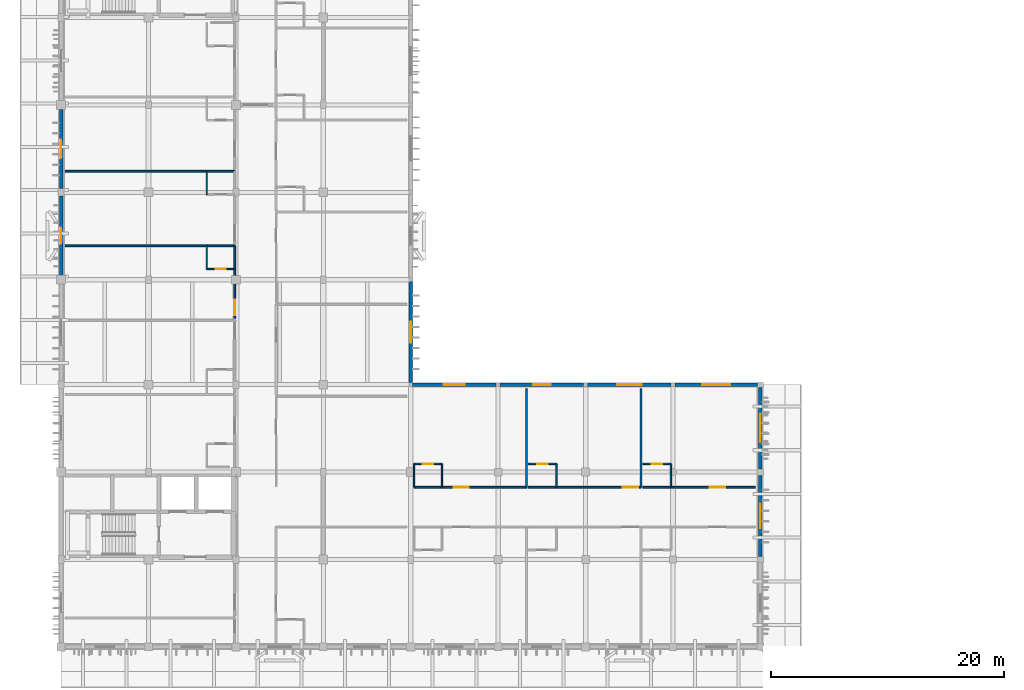
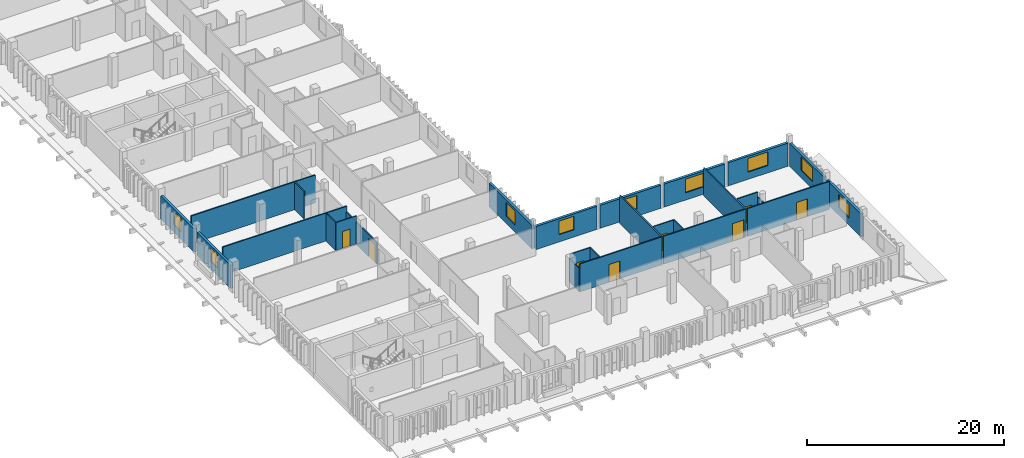
# One storey, part 16 of 43: 27 walls, 9 windows, 8 doors, 17 openings.
"""IFC4 building model written with IfcOpenShell, lengths in metres."""

from ifc_helpers import new_model, si_unit, direction, frame, frame_2d, origin, place, context, subcontext, project, spatial, rectangle, extrude, material, layer, layer_set, type_object, element, fill, save


model = new_model("IFC4")

# Units and contexts
model_context = context("Model", 3, precision=1e-05, world=origin(), true_north=direction((0.0, 1.0)))
body_context = subcontext(model_context, "Body", "Model", "MODEL_VIEW")
ifc_project = project(units=[si_unit("LENGTHUNIT", "METRE"), si_unit("AREAUNIT", "SQUARE_METRE"), si_unit("VOLUMEUNIT", "CUBIC_METRE"), si_unit("PLANEANGLEUNIT", "RADIAN"), si_unit("MASSUNIT", "GRAM", prefix="KILO")], contexts=[model_context])

# Site, building, storey
site_placement = place(None, origin())
site = spatial("IfcSite", under=ifc_project, at=site_placement, CompositionType="ELEMENT")
building_placement = place(site_placement, origin())
building = spatial("IfcBuilding", under=site, at=building_placement, Name="Dalvernix Boulevard General Hospital", CompositionType="ELEMENT")
storey_placement = place(building_placement, frame((0.0, 0.0, 14.10009765625)))
storey = spatial("IfcBuildingStorey", under=building, at=storey_placement, Name="L03", CompositionType="ELEMENT", Elevation=14.10009765625)

# Wall, opening, window
ifc_material_1 = material(Name="Pressed Catalan clay brick and ceramic spandrel wall C35/45", Category="masonry")
ifc_layer_1 = layer(ifc_material_1, 0.300048828125)
ifc_layer_set_1 = layer_set([ifc_layer_1], Name="Pressed Catalan clay brick and ceramic spandrel wall C35/45 (WAL-EW-02)")
wall_type_1 = type_object("IfcWallType", Name="WAL-EW-02", PredefinedType="STANDARD", material=ifc_layer_set_1)
wall_1_placement = place(storey_placement, frame((0.0, 31.885009765625, 0.0), z_axis=(0.0, 0.0, 1.0), x_axis=(0.0, 1.0, 0.0)))
wall_1 = element("IfcWall", 1, at=wall_1_placement, inside=storey, type_object=wall_type_1, Name="L03 Catalan brick external wall W 0-4", PredefinedType="STANDARD", context=body_context, shape_type="SweptSolid", body=[
    extrude(rectangle(XDim=6.780029296875, YDim=0.300048828125, at=frame_2d((3.39013671875, 0.0))), origin(), (0.0, 0.0, 1.0), 2.869873046875),
])
opening_1_placement = place(wall_1_placement, frame((2.68994140625, 0.0, 0.89990234375)))
opening_1 = element("IfcOpeningElement", 2, at=opening_1_placement, cuts=wall_1, Name="Opening WN-14", PredefinedType="OPENING", context=body_context, shape_type="SweptSolid", body=[
    extrude(rectangle(XDim=1.39990234375, YDim=1.68994140625, at=frame_2d((0.699951171875, 0.844970703125))), frame((0.0, 0.159912109375, 0.0), z_axis=(0.0, -1.0, 0.0), x_axis=(1.0, 0.0, 0.0)), (0.0, 0.0, 1.0), 0.320068359375),
])
ifc_material_2 = material(Name="Thermally broken aluminium frame with solar-control double glazing", Category="aluminium")
window_type_1 = type_object("IfcWindowType", Name="WIN-WN-14", PartitioningType="SINGLE_PANEL", PredefinedType="WINDOW", material=ifc_material_2)
window_1_placement = place(opening_1_placement, origin())
window_1 = element("IfcWindow", 3, at=window_1_placement, inside=storey, type_object=window_type_1, Name="L03 clinical window WN-14 W 0-4", OverallHeight=1.68994140625, OverallWidth=1.39990234375, PartitioningType="SINGLE_PANEL", PredefinedType="WINDOW", context=body_context, shape_type="SweptSolid", body=[
    extrude(rectangle(XDim=1.39990234375, YDim=1.68994140625, at=frame_2d((0.699951171875, 0.844970703125))), frame((0.0, 0.030029296875, 0.0), z_axis=(0.0, -1.0, 0.0), x_axis=(1.0, 0.0, 0.0)), (0.0, 0.0, 1.0), 0.06005859375),
])
fill(opening_1, window_1)

wall_2_placement = place(storey_placement, frame((0.0, 39.3349609375, 0.0), z_axis=(0.0, 0.0, 1.0), x_axis=(0.0, 1.0, 0.0)))
wall_2 = element("IfcWall", 4, at=wall_2_placement, inside=storey, type_object=wall_type_1, Name="L03 Catalan brick external wall W 0-5", PredefinedType="STANDARD", context=body_context, shape_type="SweptSolid", body=[
    extrude(rectangle(XDim=6.780029296875, YDim=0.300048828125, at=frame_2d((3.39013671875, 0.0))), origin(), (0.0, 0.0, 1.0), 2.869873046875),
])
opening_2_placement = place(wall_2_placement, frame((2.590087890625, 0.0, 0.89990234375)))
opening_2 = element("IfcOpeningElement", 5, at=opening_2_placement, cuts=wall_2, Name="Opening WN-15", PredefinedType="OPENING", context=body_context, shape_type="SweptSolid", body=[
    extrude(rectangle(XDim=1.60009765625, YDim=1.68994140625, at=frame_2d((0.800048828125, 0.844970703125))), frame((0.0, 0.159912109375, 0.0), z_axis=(0.0, -1.0, 0.0), x_axis=(1.0, 0.0, 0.0)), (0.0, 0.0, 1.0), 0.320068359375),
])
window_type_2 = type_object("IfcWindowType", Name="WIN-WN-15", PartitioningType="SINGLE_PANEL", PredefinedType="WINDOW", material=ifc_material_2)
window_2_placement = place(opening_2_placement, origin())
window_2 = element("IfcWindow", 6, at=window_2_placement, inside=storey, type_object=window_type_2, Name="L03 clinical window WN-15 W 0-5", OverallHeight=1.68994140625, OverallWidth=1.60009765625, PartitioningType="SINGLE_PANEL", PredefinedType="WINDOW", context=body_context, shape_type="SweptSolid", body=[
    extrude(rectangle(XDim=1.60009765625, YDim=1.68994140625, at=frame_2d((0.800048828125, 0.844970703125))), frame((0.0, 0.030029296875, 0.0), z_axis=(0.0, -1.0, 0.0), x_axis=(1.0, 0.0, 0.0)), (0.0, 0.0, 1.0), 0.06005859375),
])
fill(opening_2, window_2)

wall_3_placement = place(storey_placement, frame((30.0, 31.330078125, 0.0), z_axis=(0.0, 0.0, 1.0), x_axis=(0.0, -1.0, 0.0)))
wall_3 = element("IfcWall", 7, at=wall_3_placement, inside=storey, type_object=wall_type_1, Name="L03 Catalan brick external wall E 4-3", PredefinedType="STANDARD", context=body_context, shape_type="SweptSolid", body=[
    extrude(rectangle(XDim=8.66015625, YDim=0.300048828125, at=frame_2d((4.330078125, 0.0))), origin(), (0.0, 0.0, 1.0), 2.919921875),
])
opening_3_placement = place(wall_3_placement, frame((3.429931640625, 0.0, 0.89990234375)))
opening_3 = element("IfcOpeningElement", 8, at=opening_3_placement, cuts=wall_3, Name="Opening WN-01", PredefinedType="OPENING", context=body_context, shape_type="SweptSolid", body=[
    extrude(rectangle(XDim=1.800048828125, YDim=1.739990234375, at=frame_2d((0.89990234375, 0.8701171875))), frame((0.0, 0.159912109375, 0.0), z_axis=(0.0, -1.0, 0.0), x_axis=(1.0, 0.0, 0.0)), (0.0, 0.0, 1.0), 0.320068359375),
])
window_type_3 = type_object("IfcWindowType", Name="WIN-WN-01", PartitioningType="SINGLE_PANEL", PredefinedType="WINDOW", material=ifc_material_2)
window_3_placement = place(opening_3_placement, origin())
window_3 = element("IfcWindow", 9, at=window_3_placement, inside=storey, type_object=window_type_3, Name="L03 clinical window WN-01 E 4-3", OverallHeight=1.739990234375, OverallWidth=1.800048828125, PartitioningType="SINGLE_PANEL", PredefinedType="WINDOW", context=body_context, shape_type="SweptSolid", body=[
    extrude(rectangle(XDim=1.800048828125, YDim=1.739990234375, at=frame_2d((0.89990234375, 0.8701171875))), frame((0.0, 0.030029296875, 0.0), z_axis=(0.0, -1.0, 0.0), x_axis=(1.0, 0.0, 0.0)), (0.0, 0.0, 1.0), 0.06005859375),
])
fill(opening_3, window_3)

wall_4_placement = place(storey_placement, frame((30.169921875, 22.5, 0.0), z_axis=(0.0, 0.0, 1.0), x_axis=(1.0, 0.0, 0.0)))
wall_4 = element("IfcWall", 10, at=wall_4_placement, inside=storey, type_object=wall_type_1, Name="L03 Catalan brick external wall N 4-3", PredefinedType="STANDARD", context=body_context, shape_type="SweptSolid", body=[
    extrude(rectangle(XDim=7.16015625, YDim=0.300048828125, at=frame_2d((3.580078125, 0.0))), origin(), (0.0, 0.0, 1.0), 2.869873046875),
])
opening_4_placement = place(wall_4_placement, frame((2.679931640625, 0.0, 0.89990234375)))
opening_4 = element("IfcOpeningElement", 11, at=opening_4_placement, cuts=wall_4, Name="Opening WN-01", PredefinedType="OPENING", context=body_context, shape_type="SweptSolid", body=[
    extrude(rectangle(XDim=1.800048828125, YDim=1.68994140625, at=frame_2d((0.89990234375, 0.844970703125))), frame((0.0, 0.159912109375, 0.0), z_axis=(0.0, -1.0, 0.0), x_axis=(1.0, 0.0, 0.0)), (0.0, 0.0, 1.0), 0.320068359375),
])
window_4_placement = place(opening_4_placement, origin())
window_4 = element("IfcWindow", 12, at=window_4_placement, inside=storey, type_object=window_type_3, Name="L03 clinical window WN-01 N 4-3", OverallHeight=1.68994140625, OverallWidth=1.800048828125, PartitioningType="SINGLE_PANEL", PredefinedType="WINDOW", context=body_context, shape_type="SweptSolid", body=[
    extrude(rectangle(XDim=1.800048828125, YDim=1.68994140625, at=frame_2d((0.89990234375, 0.844970703125))), frame((0.0, 0.030029296875, 0.0), z_axis=(0.0, -1.0, 0.0), x_axis=(1.0, 0.0, 0.0)), (0.0, 0.0, 1.0), 0.06005859375),
])
fill(opening_4, window_4)

wall_5_placement = place(storey_placement, frame((37.669921875, 22.5, 0.0), z_axis=(0.0, 0.0, 1.0), x_axis=(1.0, 0.0, 0.0)))
wall_5 = element("IfcWall", 13, at=wall_5_placement, inside=storey, type_object=wall_type_1, Name="L03 Catalan brick external wall N 5-3", PredefinedType="STANDARD", context=body_context, shape_type="SweptSolid", body=[
    extrude(rectangle(XDim=7.16015625, YDim=0.300048828125, at=frame_2d((3.580078125, 0.0))), origin(), (0.0, 0.0, 1.0), 2.869873046875),
])
opening_5_placement = place(wall_5_placement, frame((2.830078125, 0.0, 0.89990234375)))
opening_5 = element("IfcOpeningElement", 14, at=opening_5_placement, cuts=wall_5, Name="Opening WN-02", PredefinedType="OPENING", context=body_context, shape_type="SweptSolid", body=[
    extrude(rectangle(XDim=1.5, YDim=1.68994140625, at=frame_2d((0.75, 0.844970703125))), frame((0.0, 0.159912109375, 0.0), z_axis=(0.0, -1.0, 0.0), x_axis=(1.0, 0.0, 0.0)), (0.0, 0.0, 1.0), 0.320068359375),
])
window_type_4 = type_object("IfcWindowType", Name="WIN-WN-02", PartitioningType="SINGLE_PANEL", PredefinedType="WINDOW", material=ifc_material_2)
window_5_placement = place(opening_5_placement, origin())
window_5 = element("IfcWindow", 15, at=window_5_placement, inside=storey, type_object=window_type_4, Name="L03 clinical window WN-02 N 5-3", OverallHeight=1.68994140625, OverallWidth=1.5, PartitioningType="SINGLE_PANEL", PredefinedType="WINDOW", context=body_context, shape_type="SweptSolid", body=[
    extrude(rectangle(XDim=1.5, YDim=1.68994140625, at=frame_2d((0.75, 0.844970703125))), frame((0.0, 0.030029296875, 0.0), z_axis=(0.0, -1.0, 0.0), x_axis=(1.0, 0.0, 0.0)), (0.0, 0.0, 1.0), 0.06005859375),
])
fill(opening_5, window_5)

wall_6_placement = place(storey_placement, frame((45.169921875, 22.5, 0.0), z_axis=(0.0, 0.0, 1.0), x_axis=(1.0, 0.0, 0.0)))
wall_6 = element("IfcWall", 16, at=wall_6_placement, inside=storey, type_object=wall_type_1, Name="L03 Catalan brick external wall N 6-3", PredefinedType="STANDARD", context=body_context, shape_type="SweptSolid", body=[
    extrude(rectangle(XDim=7.16015625, YDim=0.300048828125, at=frame_2d((3.580078125, 0.0))), origin(), (0.0, 0.0, 1.0), 2.869873046875),
])
opening_6_placement = place(wall_6_placement, frame((2.530029296875, 0.0, 0.89990234375)))
opening_6 = element("IfcOpeningElement", 17, at=opening_6_placement, cuts=wall_6, Name="Opening WN-03", PredefinedType="OPENING", context=body_context, shape_type="SweptSolid", body=[
    extrude(rectangle(XDim=2.10009765625, YDim=1.68994140625, at=frame_2d((1.050048828125, 0.844970703125))), frame((0.0, 0.159912109375, 0.0), z_axis=(0.0, -1.0, 0.0), x_axis=(1.0, 0.0, 0.0)), (0.0, 0.0, 1.0), 0.320068359375),
])
window_type_5 = type_object("IfcWindowType", Name="WIN-WN-03", PartitioningType="SINGLE_PANEL", PredefinedType="WINDOW", material=ifc_material_2)
window_6_placement = place(opening_6_placement, origin())
window_6 = element("IfcWindow", 18, at=window_6_placement, inside=storey, type_object=window_type_5, Name="L03 clinical window WN-03 N 6-3", OverallHeight=1.68994140625, OverallWidth=2.10009765625, PartitioningType="SINGLE_PANEL", PredefinedType="WINDOW", context=body_context, shape_type="SweptSolid", body=[
    extrude(rectangle(XDim=2.10009765625, YDim=1.68994140625, at=frame_2d((1.050048828125, 0.844970703125))), frame((0.0, 0.030029296875, 0.0), z_axis=(0.0, -1.0, 0.0), x_axis=(1.0, 0.0, 0.0)), (0.0, 0.0, 1.0), 0.06005859375),
])
fill(opening_6, window_6)

wall_7_placement = place(storey_placement, frame((60.0, 14.715087890625, 0.0), z_axis=(0.0, 0.0, 1.0), x_axis=(0.0, -1.0, 0.0)))
wall_7 = element("IfcWall", 19, at=wall_7_placement, inside=storey, type_object=wall_type_1, Name="L03 Catalan brick external wall E 8-1", PredefinedType="STANDARD", context=body_context, shape_type="SweptSolid", body=[
    extrude(rectangle(XDim=6.955078125, YDim=0.300048828125, at=frame_2d((3.4775390625, 0.0))), origin(), (0.0, 0.0, 1.0), 2.869873046875),
])
opening_7_placement = place(wall_7_placement, frame((2.427490234375, 0.0, 0.89990234375)))
opening_7 = element("IfcOpeningElement", 20, at=opening_7_placement, cuts=wall_7, Name="Opening WN-03", PredefinedType="OPENING", context=body_context, shape_type="SweptSolid", body=[
    extrude(rectangle(XDim=2.10009765625, YDim=1.68994140625, at=frame_2d((1.050048828125, 0.844970703125))), frame((0.0, 0.159912109375, 0.0), z_axis=(0.0, -1.0, 0.0), x_axis=(1.0, 0.0, 0.0)), (0.0, 0.0, 1.0), 0.320068359375),
])
window_7_placement = place(opening_7_placement, origin())
window_7 = element("IfcWindow", 21, at=window_7_placement, inside=storey, type_object=window_type_5, Name="L03 clinical window WN-03 E 8-1", OverallHeight=1.68994140625, OverallWidth=2.10009765625, PartitioningType="SINGLE_PANEL", PredefinedType="WINDOW", context=body_context, shape_type="SweptSolid", body=[
    extrude(rectangle(XDim=2.10009765625, YDim=1.68994140625, at=frame_2d((1.050048828125, 0.844970703125))), frame((0.0, 0.030029296875, 0.0), z_axis=(0.0, -1.0, 0.0), x_axis=(1.0, 0.0, 0.0)), (0.0, 0.0, 1.0), 0.06005859375),
])
fill(opening_7, window_7)

wall_8_placement = place(storey_placement, frame((52.669921875, 22.5, 0.0), z_axis=(0.0, 0.0, 1.0), x_axis=(1.0, 0.0, 0.0)))
wall_8 = element("IfcWall", 22, at=wall_8_placement, inside=storey, type_object=wall_type_1, Name="L03 Catalan brick external wall N 7-3", PredefinedType="STANDARD", context=body_context, shape_type="SweptSolid", body=[
    extrude(rectangle(XDim=7.070068359375, YDim=0.300048828125, at=frame_2d((3.53515625, 0.0))), origin(), (0.0, 0.0, 1.0), 2.869873046875),
])
opening_8_placement = place(wall_8_placement, frame((2.3349609375, 0.0, 0.89990234375)))
opening_8 = element("IfcOpeningElement", 23, at=opening_8_placement, cuts=wall_8, Name="Opening WN-04", PredefinedType="OPENING", context=body_context, shape_type="SweptSolid", body=[
    extrude(rectangle(XDim=2.39990234375, YDim=1.68994140625, at=frame_2d((1.199951171875, 0.844970703125))), frame((0.0, 0.159912109375, 0.0), z_axis=(0.0, -1.0, 0.0), x_axis=(1.0, 0.0, 0.0)), (0.0, 0.0, 1.0), 0.320068359375),
])
window_type_6 = type_object("IfcWindowType", Name="WIN-WN-04", PartitioningType="SINGLE_PANEL", PredefinedType="WINDOW", material=ifc_material_2)
window_8_placement = place(opening_8_placement, origin())
window_8 = element("IfcWindow", 24, at=window_8_placement, inside=storey, type_object=window_type_6, Name="L03 clinical window WN-04 N 7-3", OverallHeight=1.68994140625, OverallWidth=2.39990234375, PartitioningType="SINGLE_PANEL", PredefinedType="WINDOW", context=body_context, shape_type="SweptSolid", body=[
    extrude(rectangle(XDim=2.39990234375, YDim=1.68994140625, at=frame_2d((1.199951171875, 0.844970703125))), frame((0.0, 0.030029296875, 0.0), z_axis=(0.0, -1.0, 0.0), x_axis=(1.0, 0.0, 0.0)), (0.0, 0.0, 1.0), 0.06005859375),
])
fill(opening_8, window_8)

wall_9_placement = place(storey_placement, frame((60.0, 22.239990234375, 0.0), z_axis=(0.0, 0.0, 1.0), x_axis=(0.0, -1.0, 0.0)))
wall_9 = element("IfcWall", 25, at=wall_9_placement, inside=storey, type_object=wall_type_1, Name="L03 Catalan brick external wall E 8-2", PredefinedType="STANDARD", context=body_context, shape_type="SweptSolid", body=[
    extrude(rectangle(XDim=6.955078125, YDim=0.300048828125, at=frame_2d((3.4775390625, 0.0))), origin(), (0.0, 0.0, 1.0), 2.869873046875),
])
opening_9_placement = place(wall_9_placement, frame((2.277587890625, 0.0, 0.89990234375)))
opening_9 = element("IfcOpeningElement", 26, at=opening_9_placement, cuts=wall_9, Name="Opening WN-04", PredefinedType="OPENING", context=body_context, shape_type="SweptSolid", body=[
    extrude(rectangle(XDim=2.39990234375, YDim=1.68994140625, at=frame_2d((1.199951171875, 0.844970703125))), frame((0.0, 0.159912109375, 0.0), z_axis=(0.0, -1.0, 0.0), x_axis=(1.0, 0.0, 0.0)), (0.0, 0.0, 1.0), 0.320068359375),
])
window_9_placement = place(opening_9_placement, origin())
window_9 = element("IfcWindow", 27, at=window_9_placement, inside=storey, type_object=window_type_6, Name="L03 clinical window WN-04 E 8-2", OverallHeight=1.68994140625, OverallWidth=2.39990234375, PartitioningType="SINGLE_PANEL", PredefinedType="WINDOW", context=body_context, shape_type="SweptSolid", body=[
    extrude(rectangle(XDim=2.39990234375, YDim=1.68994140625, at=frame_2d((1.199951171875, 0.844970703125))), frame((0.0, 0.030029296875, 0.0), z_axis=(0.0, -1.0, 0.0), x_axis=(1.0, 0.0, 0.0)), (0.0, 0.0, 1.0), 0.06005859375),
])
fill(opening_9, window_9)

# Wall, opening, door
ifc_material_3 = material(Name="Acoustic double-stud gypsum inpatient partition")
ifc_layer_2 = layer(ifc_material_3, 0.14990234375)
ifc_layer_set_2 = layer_set([ifc_layer_2], Name="Acoustic double-stud gypsum inpatient partition (WAL-IW-04)")
wall_type_2 = type_object("IfcWallType", Name="WAL-IW-04", PredefinedType="PARTITIONING", material=ifc_layer_set_2)
wall_10_placement = place(storey_placement, frame((14.89990234375, 28.19677734375, 0.0), z_axis=(0.0, 0.0, 1.0), x_axis=(0.0, 1.0, 0.0)))
wall_10 = element("IfcWall", 28, at=wall_10_placement, inside=storey, type_object=wall_type_2, Name="L03 Cardiology Step-Down Patient Room L03-W04 corridor wall", PredefinedType="PARTITIONING", context=body_context, shape_type="SweptSolid", body=[
    extrude(rectangle(XDim=6.22314453125, YDim=0.14990234375, at=frame_2d((3.111572265625, 0.0))), origin(), (0.0, 0.0, 1.0), 2.7548828125),
])
opening_10_placement = place(wall_10_placement, frame((0.25, 0.0, 0.0)))
opening_10 = element("IfcOpeningElement", 29, at=opening_10_placement, cuts=wall_10, Name="Opening ID-01", PredefinedType="OPENING", context=body_context, shape_type="SweptSolid", body=[
    extrude(rectangle(XDim=1.35009765625, YDim=2.25, at=frame_2d((0.675048828125, 1.125))), frame((0.0, 0.0849609375, 0.0), z_axis=(0.0, -1.0, 0.0), x_axis=(1.0, 0.0, 0.0)), (0.0, 0.0, 1.0), 0.169921875),
])
ifc_material_4 = material(Name="Hospital laminate acoustic timber and steel frame", Category="steel")
door_type_1 = type_object("IfcDoorType", Name="DR-ID-01", OperationType="NOTDEFINED", PredefinedType="DOOR", material=ifc_material_4)
door_1_placement = place(opening_10_placement, origin())
door_1 = element("IfcDoor", 30, at=door_1_placement, inside=storey, type_object=door_type_1, Name="L03 Cardiology Step-Down Patient Room L03-W04 door", OperationType="SINGLE_SWING_RIGHT", OverallHeight=2.25, OverallWidth=1.35009765625, PredefinedType="DOOR", context=body_context, shape_type="SweptSolid", body=[
    extrude(rectangle(XDim=1.35009765625, YDim=2.25, at=frame_2d((0.675048828125, 1.125))), frame((0.0, 0.02490234375, 0.0), z_axis=(0.0, -1.0, 0.0), x_axis=(1.0, 0.0, 0.0)), (0.0, 0.0, 1.0), 0.050048828125),
])
fill(opening_10, door_1)

wall_11_placement = place(storey_placement, frame((30.280029296875, 13.699951171875, 0.0), z_axis=(0.0, 0.0, 1.0), x_axis=(1.0, 0.0, 0.0)))
wall_11 = element("IfcWall", 31, at=wall_11_placement, inside=storey, type_object=wall_type_2, Name="L03 Isolation Patient Room L03-N1 corridor wall", PredefinedType="PARTITIONING", context=body_context, shape_type="SweptSolid", body=[
    extrude(rectangle(XDim=9.65673828125, YDim=0.14990234375, at=frame_2d((4.828369140625, 0.0))), origin(), (0.0, 0.0, 1.0), 3.454833984375),
])
opening_11_placement = place(wall_11_placement, frame((3.392578125, 0.0, 0.0)))
opening_11 = element("IfcOpeningElement", 32, at=opening_11_placement, cuts=wall_11, Name="Opening ID-03", PredefinedType="OPENING", context=body_context, shape_type="SweptSolid", body=[
    extrude(rectangle(XDim=1.300048828125, YDim=2.199951171875, at=frame_2d((0.64990234375, 1.10009765625))), frame((0.0, 0.0849609375, 0.0), z_axis=(0.0, -1.0, 0.0), x_axis=(1.0, 0.0, 0.0)), (0.0, 0.0, 1.0), 0.169921875),
])
door_type_2 = type_object("IfcDoorType", Name="DR-ID-03", OperationType="NOTDEFINED", PredefinedType="DOOR", material=ifc_material_4)
door_2_placement = place(opening_11_placement, origin())
door_2 = element("IfcDoor", 33, at=door_2_placement, inside=storey, type_object=door_type_2, Name="L03 Isolation Patient Room L03-N1 door", OperationType="SINGLE_SWING_RIGHT", OverallHeight=2.199951171875, OverallWidth=1.300048828125, PredefinedType="DOOR", context=body_context, shape_type="SweptSolid", body=[
    extrude(rectangle(XDim=1.300048828125, YDim=2.199951171875, at=frame_2d((0.64990234375, 1.10009765625))), frame((0.0, 0.02490234375, 0.0), z_axis=(0.0, -1.0, 0.0), x_axis=(1.0, 0.0, 0.0)), (0.0, 0.0, 1.0), 0.050048828125),
])
fill(opening_11, door_2)

wall_12_placement = place(storey_placement, frame((40.0966796875, 13.699951171875, 0.0), z_axis=(0.0, 0.0, 1.0), x_axis=(1.0, 0.0, 0.0)))
wall_12 = element("IfcWall", 34, at=wall_12_placement, inside=storey, type_object=wall_type_2, Name="L03 Isolation Patient Room L03-N2 corridor wall", PredefinedType="PARTITIONING", context=body_context, shape_type="SweptSolid", body=[
    extrude(rectangle(XDim=9.65673828125, YDim=0.14990234375, at=frame_2d((4.828369140625, 0.0))), origin(), (0.0, 0.0, 1.0), 3.454833984375),
])
opening_12_placement = place(wall_12_placement, frame((8.106689453125, 0.0, 0.0)))
opening_12 = element("IfcOpeningElement", 35, at=opening_12_placement, cuts=wall_12, Name="Opening ID-03", PredefinedType="OPENING", context=body_context, shape_type="SweptSolid", body=[
    extrude(rectangle(XDim=1.300048828125, YDim=2.199951171875, at=frame_2d((0.64990234375, 1.10009765625))), frame((0.0, 0.0849609375, 0.0), z_axis=(0.0, -1.0, 0.0), x_axis=(1.0, 0.0, 0.0)), (0.0, 0.0, 1.0), 0.169921875),
])
door_3_placement = place(opening_12_placement, origin())
door_3 = element("IfcDoor", 36, at=door_3_placement, inside=storey, type_object=door_type_2, Name="L03 Isolation Patient Room L03-N2 door", OperationType="SINGLE_SWING_RIGHT", OverallHeight=2.199951171875, OverallWidth=1.300048828125, PredefinedType="DOOR", context=body_context, shape_type="SweptSolid", body=[
    extrude(rectangle(XDim=1.300048828125, YDim=2.199951171875, at=frame_2d((0.64990234375, 1.10009765625))), frame((0.0, 0.02490234375, 0.0), z_axis=(0.0, -1.0, 0.0), x_axis=(1.0, 0.0, 0.0)), (0.0, 0.0, 1.0), 0.050048828125),
])
fill(opening_12, door_3)

wall_13_placement = place(storey_placement, frame((49.913330078125, 13.699951171875, 0.0), z_axis=(0.0, 0.0, 1.0), x_axis=(1.0, 0.0, 0.0)))
wall_13 = element("IfcWall", 37, at=wall_13_placement, inside=storey, type_object=wall_type_2, Name="L03 Isolation Patient Room L03-N3 corridor wall", PredefinedType="PARTITIONING", context=body_context, shape_type="SweptSolid", body=[
    extrude(rectangle(XDim=9.65673828125, YDim=0.14990234375, at=frame_2d((4.828369140625, 0.0))), origin(), (0.0, 0.0, 1.0), 3.454833984375),
])
opening_13_placement = place(wall_13_placement, frame((5.749755859375, 0.0, 0.0)))
opening_13 = element("IfcOpeningElement", 38, at=opening_13_placement, cuts=wall_13, Name="Opening ID-03", PredefinedType="OPENING", context=body_context, shape_type="SweptSolid", body=[
    extrude(rectangle(XDim=1.300048828125, YDim=2.199951171875, at=frame_2d((0.64990234375, 1.10009765625))), frame((0.0, 0.0849609375, 0.0), z_axis=(0.0, -1.0, 0.0), x_axis=(1.0, 0.0, 0.0)), (0.0, 0.0, 1.0), 0.169921875),
])
door_4_placement = place(opening_13_placement, origin())
door_4 = element("IfcDoor", 39, at=door_4_placement, inside=storey, type_object=door_type_2, Name="L03 Isolation Patient Room L03-N3 door", OperationType="SINGLE_SWING_RIGHT", OverallHeight=2.199951171875, OverallWidth=1.300048828125, PredefinedType="DOOR", context=body_context, shape_type="SweptSolid", body=[
    extrude(rectangle(XDim=1.300048828125, YDim=2.199951171875, at=frame_2d((0.64990234375, 1.10009765625))), frame((0.0, 0.02490234375, 0.0), z_axis=(0.0, -1.0, 0.0), x_axis=(1.0, 0.0, 0.0)), (0.0, 0.0, 1.0), 0.050048828125),
])
fill(opening_13, door_4)

# Walls
for number, where, z_axis, x_axis, name in (
    (40, (0.35009765625, 34.419921875, 0.0), (0.0, 0.0, 1.0), (1.0, 0.0, 0.0), "L03 Cardiology Step-Down Patient Room L03-W04 partition"),
    (41, (0.35009765625, 40.80322265625, 0.0), (0.0, 0.0, 1.0), (1.0, 0.0, 0.0), "L03 Telemetry Ward Bay L03-W05 partition"),
):
    element("IfcWall", number, at=place(storey_placement, frame(where, z_axis=z_axis, x_axis=x_axis)), inside=storey, type_object=wall_type_2, Name=name, PredefinedType="PARTITIONING", context=body_context, shape_type="SweptSolid", body=[
        extrude(rectangle(XDim=14.5498046875, YDim=0.14990234375, at=frame_2d((7.27490234375, 0.0))), origin(), (0.0, 0.0, 1.0), 3.454833984375),
    ])
for number, where, z_axis, x_axis, name in (
    (42, (39.936767578125, 13.699951171875, 0.0), (0.0, 0.0, 1.0), (0.0, 1.0, 0.0), "L03 Isolation Patient Room L03-N1 partition"),
    (43, (49.75341796875, 13.699951171875, 0.0), (0.0, 0.0, 1.0), (0.0, 1.0, 0.0), "L03 Isolation Patient Room L03-N2 partition"),
):
    element("IfcWall", number, at=place(storey_placement, frame(where, z_axis=z_axis, x_axis=x_axis)), inside=storey, type_object=wall_type_2, Name=name, PredefinedType="PARTITIONING", context=body_context, shape_type="SweptSolid", body=[
        extrude(rectangle(XDim=8.449951171875, YDim=0.14990234375, at=frame_2d((4.22509765625, 0.0))), origin(), (0.0, 0.0, 1.0), 3.454833984375),
    ])

# Wall, opening, door
ifc_material_5 = material(Name="Moisture-resistant en-suite bathroom partition")
ifc_layer_3 = layer(ifc_material_5, 0.1201171875)
ifc_layer_set_3 = layer_set([ifc_layer_3], Name="Moisture-resistant en-suite bathroom partition (WAL-IW-05)")
wall_type_3 = type_object("IfcWallType", Name="WAL-IW-05", PredefinedType="PARTITIONING", material=ifc_layer_set_3)
wall_14_placement = place(storey_placement, frame((12.5, 32.419921875, 0.0), z_axis=(0.0, 0.0, 1.0), x_axis=(1.0, 0.0, 0.0)))
wall_14 = element("IfcWall", 44, at=wall_14_placement, inside=storey, type_object=wall_type_3, Name="L03 en-suite bathroom door wall", PredefinedType="PARTITIONING", context=body_context, shape_type="SweptSolid", body=[
    extrude(rectangle(XDim=2.39990234375, YDim=0.1201171875, at=frame_2d((1.199951171875, 0.0))), origin(), (0.0, 0.0, 1.0), 3.454833984375),
])
opening_14_placement = place(wall_14_placement, frame((0.75, 0.0, 0.0)))
opening_14 = element("IfcOpeningElement", 45, at=opening_14_placement, cuts=wall_14, Name="Opening ID-05", PredefinedType="OPENING", context=body_context, shape_type="SweptSolid", body=[
    extrude(rectangle(XDim=0.89990234375, YDim=2.10009765625, at=frame_2d((0.449951171875, 1.050048828125))), frame((0.0, 0.070068359375, 0.0), z_axis=(0.0, -1.0, 0.0), x_axis=(1.0, 0.0, 0.0)), (0.0, 0.0, 1.0), 0.14013671875),
])
door_type_3 = type_object("IfcDoorType", Name="DR-ID-05", OperationType="NOTDEFINED", PredefinedType="DOOR", material=ifc_material_4)
door_5_placement = place(opening_14_placement, origin())
door_5 = element("IfcDoor", 46, at=door_5_placement, inside=storey, type_object=door_type_3, Name="L03 L03-WRD-W04 en-suite bathroom door", OperationType="SINGLE_SWING_LEFT", OverallHeight=2.10009765625, OverallWidth=0.89990234375, PredefinedType="DOOR", context=body_context, shape_type="SweptSolid", body=[
    extrude(rectangle(XDim=0.89990234375, YDim=2.10009765625, at=frame_2d((0.449951171875, 1.050048828125))), frame((0.0, 0.02490234375, 0.0), z_axis=(0.0, -1.0, 0.0), x_axis=(1.0, 0.0, 0.0)), (0.0, 0.0, 1.0), 0.050048828125),
])
fill(opening_14, door_5)

# Walls
for number, where, z_axis, x_axis, name in (
    (47, (12.5, 32.419921875, 0.0), (0.0, 0.0, 1.0), (0.0, 1.0, 0.0), "L03 en-suite bathroom side wall"),
    (48, (12.5, 38.80322265625, 0.0), (0.0, 0.0, 1.0), (0.0, 1.0, 0.0), "L03 en-suite bathroom side wall"),
):
    element("IfcWall", number, at=place(storey_placement, frame(where, z_axis=z_axis, x_axis=x_axis)), inside=storey, type_object=wall_type_3, Name=name, PredefinedType="PARTITIONING", context=body_context, shape_type="SweptSolid", body=[
        extrude(rectangle(XDim=2.0, YDim=0.1201171875, at=frame_2d((1.0, 0.0))), origin(), (0.0, 0.0, 1.0), 3.454833984375),
    ])

# Wall, opening, door
wall_15_placement = place(storey_placement, frame((32.679931640625, 15.699951171875, 0.0), z_axis=(0.0, 0.0, 1.0), x_axis=(-1.0, 0.0, 0.0)))
wall_15 = element("IfcWall", 49, at=wall_15_placement, inside=storey, type_object=wall_type_3, Name="L03 en-suite bathroom door wall", PredefinedType="PARTITIONING", context=body_context, shape_type="SweptSolid", body=[
    extrude(rectangle(XDim=2.39990234375, YDim=0.1201171875, at=frame_2d((1.199951171875, 0.0))), origin(), (0.0, 0.0, 1.0), 3.454833984375),
])
opening_15_placement = place(wall_15_placement, frame((0.75, 0.0, 0.0)))
opening_15 = element("IfcOpeningElement", 50, at=opening_15_placement, cuts=wall_15, Name="Opening ID-05", PredefinedType="OPENING", context=body_context, shape_type="SweptSolid", body=[
    extrude(rectangle(XDim=0.89990234375, YDim=2.10009765625, at=frame_2d((0.449951171875, 1.050048828125))), frame((0.0, 0.070068359375, 0.0), z_axis=(0.0, -1.0, 0.0), x_axis=(1.0, 0.0, 0.0)), (0.0, 0.0, 1.0), 0.14013671875),
])
door_6_placement = place(opening_15_placement, origin())
door_6 = element("IfcDoor", 51, at=door_6_placement, inside=storey, type_object=door_type_3, Name="L03 L03-SW-N1 en-suite bathroom door", OperationType="SINGLE_SWING_LEFT", OverallHeight=2.10009765625, OverallWidth=0.89990234375, PredefinedType="DOOR", context=body_context, shape_type="SweptSolid", body=[
    extrude(rectangle(XDim=0.89990234375, YDim=2.10009765625, at=frame_2d((0.449951171875, 1.050048828125))), frame((0.0, 0.02490234375, 0.0), z_axis=(0.0, -1.0, 0.0), x_axis=(1.0, 0.0, 0.0)), (0.0, 0.0, 1.0), 0.050048828125),
])
fill(opening_15, door_6)

# Wall
wall_16_placement = place(storey_placement, frame((32.679931640625, 13.699951171875, 0.0), z_axis=(0.0, 0.0, 1.0), x_axis=(0.0, 1.0, 0.0)))
element("IfcWall", 52, at=wall_16_placement, inside=storey, type_object=wall_type_3, Name="L03 en-suite bathroom side wall", PredefinedType="PARTITIONING", context=body_context, shape_type="SweptSolid", body=[
    extrude(rectangle(XDim=2.0, YDim=0.1201171875, at=frame_2d((1.0, 0.0))), origin(), (0.0, 0.0, 1.0), 3.454833984375),
])

# Wall, opening, door
wall_17_placement = place(storey_placement, frame((42.49658203125, 15.699951171875, 0.0), z_axis=(0.0, 0.0, 1.0), x_axis=(-1.0, 0.0, 0.0)))
wall_17 = element("IfcWall", 53, at=wall_17_placement, inside=storey, type_object=wall_type_3, Name="L03 en-suite bathroom door wall", PredefinedType="PARTITIONING", context=body_context, shape_type="SweptSolid", body=[
    extrude(rectangle(XDim=2.39990234375, YDim=0.1201171875, at=frame_2d((1.199951171875, 0.0))), origin(), (0.0, 0.0, 1.0), 3.454833984375),
])
opening_16_placement = place(wall_17_placement, frame((0.75, 0.0, 0.0)))
opening_16 = element("IfcOpeningElement", 54, at=opening_16_placement, cuts=wall_17, Name="Opening ID-05", PredefinedType="OPENING", context=body_context, shape_type="SweptSolid", body=[
    extrude(rectangle(XDim=0.89990234375, YDim=2.10009765625, at=frame_2d((0.449951171875, 1.050048828125))), frame((0.0, 0.070068359375, 0.0), z_axis=(0.0, -1.0, 0.0), x_axis=(1.0, 0.0, 0.0)), (0.0, 0.0, 1.0), 0.14013671875),
])
door_7_placement = place(opening_16_placement, origin())
door_7 = element("IfcDoor", 55, at=door_7_placement, inside=storey, type_object=door_type_3, Name="L03 L03-SW-N2 en-suite bathroom door", OperationType="SINGLE_SWING_LEFT", OverallHeight=2.10009765625, OverallWidth=0.89990234375, PredefinedType="DOOR", context=body_context, shape_type="SweptSolid", body=[
    extrude(rectangle(XDim=0.89990234375, YDim=2.10009765625, at=frame_2d((0.449951171875, 1.050048828125))), frame((0.0, 0.02490234375, 0.0), z_axis=(0.0, -1.0, 0.0), x_axis=(1.0, 0.0, 0.0)), (0.0, 0.0, 1.0), 0.050048828125),
])
fill(opening_16, door_7)

# Wall
wall_18_placement = place(storey_placement, frame((42.49658203125, 13.699951171875, 0.0), z_axis=(0.0, 0.0, 1.0), x_axis=(0.0, 1.0, 0.0)))
element("IfcWall", 56, at=wall_18_placement, inside=storey, type_object=wall_type_3, Name="L03 en-suite bathroom side wall", PredefinedType="PARTITIONING", context=body_context, shape_type="SweptSolid", body=[
    extrude(rectangle(XDim=2.0, YDim=0.1201171875, at=frame_2d((1.0, 0.0))), origin(), (0.0, 0.0, 1.0), 3.454833984375),
])

# Wall, opening, door
wall_19_placement = place(storey_placement, frame((52.313232421875, 15.699951171875, 0.0), z_axis=(0.0, 0.0, 1.0), x_axis=(-1.0, 0.0, 0.0)))
wall_19 = element("IfcWall", 57, at=wall_19_placement, inside=storey, type_object=wall_type_3, Name="L03 en-suite bathroom door wall", PredefinedType="PARTITIONING", context=body_context, shape_type="SweptSolid", body=[
    extrude(rectangle(XDim=2.39990234375, YDim=0.1201171875, at=frame_2d((1.199951171875, 0.0))), origin(), (0.0, 0.0, 1.0), 3.454833984375),
])
opening_17_placement = place(wall_19_placement, frame((0.75, 0.0, 0.0)))
opening_17 = element("IfcOpeningElement", 58, at=opening_17_placement, cuts=wall_19, Name="Opening ID-05", PredefinedType="OPENING", context=body_context, shape_type="SweptSolid", body=[
    extrude(rectangle(XDim=0.89990234375, YDim=2.10009765625, at=frame_2d((0.449951171875, 1.050048828125))), frame((0.0, 0.070068359375, 0.0), z_axis=(0.0, -1.0, 0.0), x_axis=(1.0, 0.0, 0.0)), (0.0, 0.0, 1.0), 0.14013671875),
])
door_8_placement = place(opening_17_placement, origin())
door_8 = element("IfcDoor", 59, at=door_8_placement, inside=storey, type_object=door_type_3, Name="L03 L03-SW-N3 en-suite bathroom door", OperationType="SINGLE_SWING_LEFT", OverallHeight=2.10009765625, OverallWidth=0.89990234375, PredefinedType="DOOR", context=body_context, shape_type="SweptSolid", body=[
    extrude(rectangle(XDim=0.89990234375, YDim=2.10009765625, at=frame_2d((0.449951171875, 1.050048828125))), frame((0.0, 0.02490234375, 0.0), z_axis=(0.0, -1.0, 0.0), x_axis=(1.0, 0.0, 0.0)), (0.0, 0.0, 1.0), 0.050048828125),
])
fill(opening_17, door_8)

# Walls
for number, where, z_axis, x_axis, name in (
    (60, (52.313232421875, 13.699951171875, 0.0), (0.0, 0.0, 1.0), (0.0, 1.0, 0.0), "L03 en-suite bathroom side wall"),
    (61, (30.280029296875, 13.699951171875, 0.0), (0.0, 0.0, 1.0), (0.0, 1.0, 0.0), "L03 En-suite Bathroom SW-N1 enclosure wall W"),
):
    element("IfcWall", number, at=place(storey_placement, frame(where, z_axis=z_axis, x_axis=x_axis)), inside=storey, type_object=wall_type_3, Name=name, PredefinedType="PARTITIONING", context=body_context, shape_type="SweptSolid", body=[
        extrude(rectangle(XDim=2.0, YDim=0.1201171875, at=frame_2d((1.0, 0.0))), origin(), (0.0, 0.0, 1.0), 2.90478515625),
    ])

save(model, "model.ifc")
